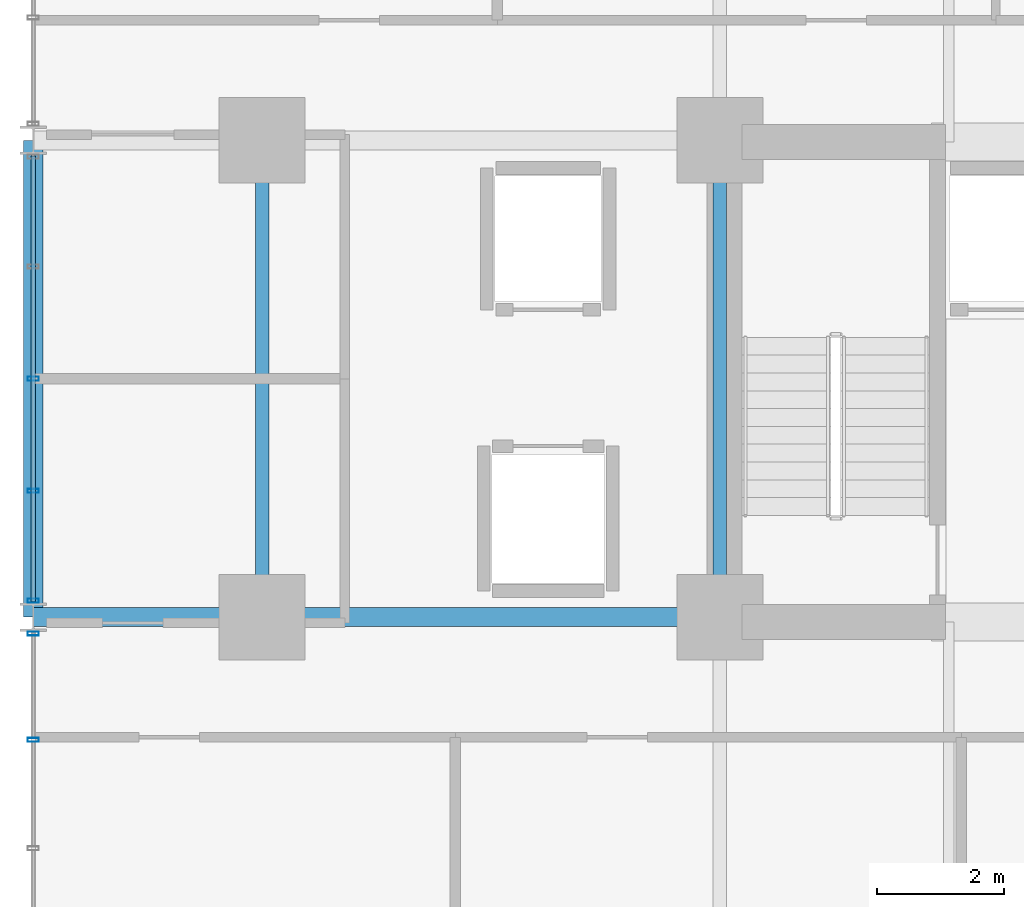
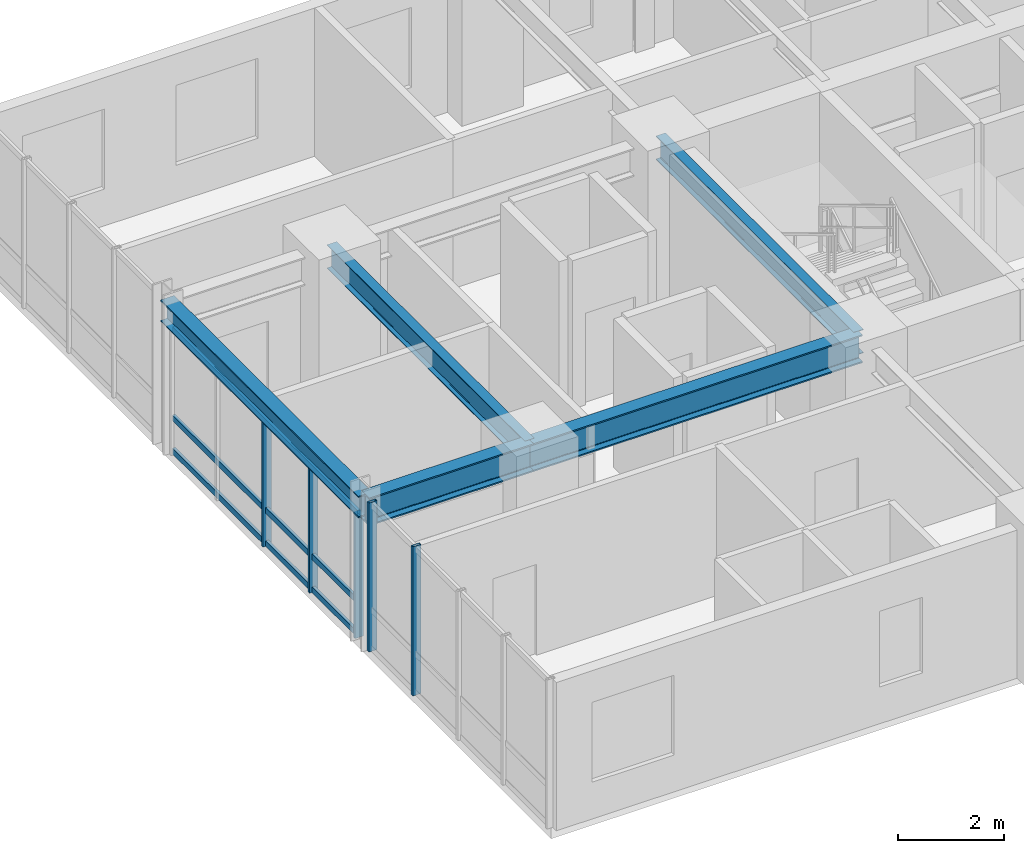
# One storey, part 4 of 19: 8 members, 5 beams, 2 elements without a shape of their own.
"""IFC4 building model written with IfcOpenShell, lengths in metres."""

from ifc_helpers import new_model, si_unit, direction, frame, origin, origin_2d, place, context, subcontext, project, spatial, hollow_rectangle, i_section, extrude, source, transform, mapped, material, layer, layer_set, material_profile, profile_set, type_object, element, aggregate, save


model = new_model("IFC4")

# Units and contexts
model_context = context("Model", 3, precision=1e-05, world=origin(), true_north=direction((0.0, 1.0)))
body_context = subcontext(model_context, "Body", "Model", "MODEL_VIEW")
ifc_project = project(units=[si_unit("LENGTHUNIT", "METRE"), si_unit("AREAUNIT", "SQUARE_METRE"), si_unit("VOLUMEUNIT", "CUBIC_METRE"), si_unit("PLANEANGLEUNIT", "RADIAN"), si_unit("MASSUNIT", "GRAM", prefix="KILO")], contexts=[model_context])

# Site, building, storey
site_placement = place(None, origin())
site = spatial("IfcSite", under=ifc_project, at=site_placement, CompositionType="ELEMENT")
building_placement = place(site_placement, origin())
building = spatial("IfcBuilding", under=site, at=building_placement, Name="Kaliganga Portal Commons", CompositionType="ELEMENT")
storey_placement = place(building_placement, frame((0.0, 0.0, 32.699951171875)))
storey = spatial("IfcBuildingStorey", under=building, at=storey_placement, Name="L07", CompositionType="ELEMENT", Elevation=32.699951171875)

# Beams
ifc_material_1 = material(Name="Structural steel S355J2", Category="steel")
ifc_material_profile_1 = material_profile(ifc_material_1, i_section(OverallWidth=0.300048828125, OverallDepth=0.5, WebThickness=0.014404296875, FlangeThickness=0.028076171875, FilletRadius=0.027099609375, at=origin_2d()), Name="HE 500 B")
ifc_profile_set_1 = profile_set([ifc_material_profile_1], Name="Structural steel S355J2 wide-flange")
beam_type_1 = type_object("IfcBeamType", Name="BM-SPAND-500", PredefinedType="SPANDREL", material=ifc_profile_set_1)
shared_shape_1 = source(origin(), body_context, "Body", "SweptSolid", [
    extrude(i_section(OverallWidth=0.300048828125, OverallDepth=0.5, WebThickness=0.014404296875, FlangeThickness=0.028076171875, FilletRadius=0.027099609375, at=origin_2d()), origin(), (0.0, 0.0, 1.0), 7.5),
])
beam_1_placement = place(storey_placement, frame((3.60009765625, 28.64990234375, 3.199951171875), z_axis=(0.0, 1.0, 0.0), x_axis=(-1.0, 0.0, 0.0)))
element("IfcBeam", 1, at=beam_1_placement, inside=storey, type_object=beam_type_1, Name="BM SP L07 AW", PredefinedType="SPANDREL", context=body_context, shape_type="MappedRepresentation", body=[
    mapped(shared_shape_1, transform((0.0, 0.0, 0.0), x_axis=(1.0, 0.0, 0.0), y_axis=(0.0, 1.0, 0.0), z_axis=(0.0, 0.0, 1.0), scale=1.0)),
])
ifc_material_profile_2 = material_profile(ifc_material_1, i_section(OverallWidth=0.300048828125, OverallDepth=0.64990234375, WebThickness=0.01611328125, FlangeThickness=0.031005859375, FilletRadius=0.027099609375, at=origin_2d()), Name="HE 650 B")
ifc_profile_set_2 = profile_set([ifc_material_profile_2], Name="Structural steel S355J2 wide-flange")
beam_type_2 = type_object("IfcBeamType", Name="BM-GIRD-650", PredefinedType="USERDEFINED", material=ifc_profile_set_2)
shared_shape_2 = source(origin(), body_context, "Body", "SweptSolid", [
    extrude(i_section(OverallWidth=0.300048828125, OverallDepth=0.64990234375, WebThickness=0.01611328125, FlangeThickness=0.031005859375, FilletRadius=0.027099609375, at=origin_2d()), origin(), (0.0, 0.0, 1.0), 3.599853515625),
])
beam_2_placement = place(storey_placement, frame((3.60009765625, 28.64990234375, 3.125), z_axis=(1.0, 0.0, 0.0), x_axis=(0.0, 1.0, 0.0)))
element("IfcBeam", 2, at=beam_2_placement, inside=storey, type_object=beam_type_2, Name="BM G L07 WAH_S 1", ObjectType="GIRDER", PredefinedType="USERDEFINED", context=body_context, shape_type="MappedRepresentation", body=[
    mapped(shared_shape_2, transform((0.0, 0.0, 0.0), x_axis=(1.0, 0.0, 0.0), y_axis=(0.0, 1.0, 0.0), z_axis=(0.0, 0.0, 1.0), scale=1.0)),
])
shared_shape_3 = source(origin(), body_context, "Body", "SweptSolid", [
    extrude(i_section(OverallWidth=0.300048828125, OverallDepth=0.64990234375, WebThickness=0.01611328125, FlangeThickness=0.031005859375, FilletRadius=0.027099609375, at=origin_2d()), origin(), (0.0, 0.0, 1.0), 7.199951171875),
])
beam_3_placement = place(storey_placement, frame((7.199951171875, 28.64990234375, 3.125), z_axis=(1.0, 0.0, 0.0), x_axis=(0.0, 1.0, 0.0)))
element("IfcBeam", 3, at=beam_3_placement, inside=storey, type_object=beam_type_2, Name="BM G L07 WAH_S 2", ObjectType="GIRDER", PredefinedType="USERDEFINED", context=body_context, shape_type="MappedRepresentation", body=[
    mapped(shared_shape_3, transform((0.0, 0.0, 0.0), x_axis=(1.0, 0.0, 0.0), y_axis=(0.0, 1.0, 0.0), z_axis=(0.0, 0.0, 1.0), scale=1.0)),
])
ifc_material_profile_3 = material_profile(ifc_material_1, i_section(OverallWidth=0.2099609375, OverallDepth=0.550048828125, WebThickness=0.010986328125, FlangeThickness=0.01708984375, FilletRadius=0.02392578125, at=origin_2d()), Name="IPE 550")
ifc_profile_set_3 = profile_set([ifc_material_profile_3], Name="Structural steel S355J2 wide-flange")
beam_type_3 = type_object("IfcBeamType", Name="BM-FLR-550", PredefinedType="BEAM", material=ifc_profile_set_3)
shared_shape_4 = source(origin(), body_context, "Body", "SweptSolid", [
    extrude(i_section(OverallWidth=0.2099609375, OverallDepth=0.550048828125, WebThickness=0.010986328125, FlangeThickness=0.01708984375, FilletRadius=0.02392578125, at=origin_2d()), origin(), (0.0, 0.0, 1.0), 7.5),
])
for number, where, z_axis, x_axis, name in (
    (4, (7.199951171875, 28.64990234375, 3.175048828125), (0.0, 1.0, 0.0), (-1.0, 0.0, 0.0), "BM G L07 AW72"),
    (5, (14.39990234375, 28.64990234375, 3.175048828125), (0.0, 1.0, 0.0), (-1.0, 0.0, 0.0), "BM G L07 AM144"),
):
    element("IfcBeam", number, at=place(storey_placement, frame(where, z_axis=z_axis, x_axis=x_axis)), inside=storey, type_object=beam_type_3, Name=name, PredefinedType="BEAM", context=body_context, shape_type="MappedRepresentation", body=[
        mapped(shared_shape_4, transform((0.0, 0.0, 0.0), x_axis=(1.0, 0.0, 0.0), y_axis=(0.0, 1.0, 0.0), z_axis=(0.0, 0.0, 1.0), scale=1.0)),
    ])

# Curtain wall, members
ifc_material_2 = material(Name="Anodized Aluminium and Laminated Low-E Glass", Category="aluminium")
ifc_layer = layer(ifc_material_2, 0.199951171875)
ifc_layer_set = layer_set([ifc_layer], Name="Anodized Aluminium and Laminated Low-E Glass")
curtain_wall_type = type_object("IfcCurtainWallType", Name="CW-SYS-02", PredefinedType="NOTDEFINED", material=ifc_layer_set)
curtain_wall_1_placement = place(storey_placement, origin())
curtain_wall_1 = element("IfcCurtainWall", 6, at=curtain_wall_1_placement, inside=storey, type_object=curtain_wall_type, Name="CW 02 L07 P1E03S3", PredefinedType="NOTDEFINED")
ifc_material_3 = material(Name="Dark Bronze Anodized Aluminium", Category="aluminium")
ifc_material_profile_4 = material_profile(ifc_material_3, hollow_rectangle(XDim=0.06494140625, YDim=0.179931640625, WallThickness=0.00390625, at=origin_2d()), Name="ALU MULL 65x180x4")
ifc_profile_set_4 = profile_set([ifc_material_profile_4], Name="Dark Bronze Anodized Aluminium")
member_type_1 = type_object("IfcMemberType", Name="CW-MUL-180", PredefinedType="MULLION", material=ifc_profile_set_4)
shared_shape_5 = source(origin(), body_context, "Body", "SweptSolid", [
    extrude(hollow_rectangle(XDim=0.06494140625, YDim=0.179931640625, WallThickness=0.00390625, at=origin_2d()), origin(), (0.0, 0.0, 1.0), 3.449951171875),
])
member_1_placement = place(storey_placement, frame((3.60009765625, 28.39111328125, 0.0), z_axis=(0.0, 0.0, 1.0), x_axis=(0.0, -1.0, 0.0)))
member_1 = element("IfcMember", 7, at=member_1_placement, type_object=member_type_1, Name="CW:02:L07:P1E03S3 Mullion 00", PredefinedType="MULLION", context=body_context, shape_type="MappedRepresentation", body=[
    mapped(shared_shape_5, transform((0.0, 0.0, 0.0), x_axis=(1.0, 0.0, 0.0), y_axis=(0.0, 1.0, 0.0), z_axis=(0.0, 0.0, 1.0), scale=1.0)),
])
member_2_placement = place(storey_placement, frame((3.60009765625, 26.719482421875, 0.0), z_axis=(0.0, 0.0, 1.0), x_axis=(0.0, -1.0, 0.0)))
member_2 = element("IfcMember", 8, at=member_2_placement, type_object=member_type_1, Name="CW:02:L07:P1E03S3 Mullion 01", PredefinedType="MULLION", context=body_context, shape_type="MappedRepresentation", body=[
    mapped(shared_shape_5, transform((0.0, 0.0, 0.0), x_axis=(1.0, 0.0, 0.0), y_axis=(0.0, 1.0, 0.0), z_axis=(0.0, 0.0, 1.0), scale=1.0)),
])
aggregate(curtain_wall_1, [member_1, member_2])

curtain_wall_2_placement = place(storey_placement, origin())
curtain_wall_2 = element("IfcCurtainWall", 9, at=curtain_wall_2_placement, inside=storey, type_object=curtain_wall_type, Name="CW 02 L07 P1E03S2", PredefinedType="NOTDEFINED")
shared_shape_6 = source(origin(), body_context, "Body", "SweptSolid", [
    extrude(hollow_rectangle(XDim=0.06494140625, YDim=0.179931640625, WallThickness=0.00390625, at=origin_2d()), origin(), (0.0, 0.0, 1.0), 2.949951171875),
])
member_3_placement = place(storey_placement, frame((3.60009765625, 32.39990234375, 0.0), z_axis=(0.0, 0.0, 1.0), x_axis=(0.0, -1.0, 0.0)))
member_3 = element("IfcMember", 10, at=member_3_placement, type_object=member_type_1, Name="CW:02:L07:P1E03S2 Mullion 02", PredefinedType="MULLION", context=body_context, shape_type="MappedRepresentation", body=[
    mapped(shared_shape_6, transform((0.0, 0.0, 0.0), x_axis=(1.0, 0.0, 0.0), y_axis=(0.0, 1.0, 0.0), z_axis=(0.0, 0.0, 1.0), scale=1.0)),
])
member_4_placement = place(storey_placement, frame((3.60009765625, 30.636962890625, 0.0), z_axis=(0.0, 0.0, 1.0), x_axis=(0.0, -1.0, 0.0)))
member_4 = element("IfcMember", 11, at=member_4_placement, type_object=member_type_1, Name="CW:02:L07:P1E03S2 Mullion 03", PredefinedType="MULLION", context=body_context, shape_type="MappedRepresentation", body=[
    mapped(shared_shape_6, transform((0.0, 0.0, 0.0), x_axis=(1.0, 0.0, 0.0), y_axis=(0.0, 1.0, 0.0), z_axis=(0.0, 0.0, 1.0), scale=1.0)),
])
member_5_placement = place(storey_placement, frame((3.60009765625, 28.908935546875, 0.0), z_axis=(0.0, 0.0, 1.0), x_axis=(0.0, -1.0, 0.0)))
member_5 = element("IfcMember", 12, at=member_5_placement, type_object=member_type_1, Name="CW:02:L07:P1E03S2 Mullion 04", PredefinedType="MULLION", context=body_context, shape_type="MappedRepresentation", body=[
    mapped(shared_shape_6, transform((0.0, 0.0, 0.0), x_axis=(1.0, 0.0, 0.0), y_axis=(0.0, 1.0, 0.0), z_axis=(0.0, 0.0, 1.0), scale=1.0)),
])
ifc_material_profile_5 = material_profile(ifc_material_3, hollow_rectangle(XDim=0.06494140625, YDim=0.135009765625, WallThickness=0.00341796875, at=origin_2d()), Name="ALU TRAN 65x135x3.5")
ifc_profile_set_5 = profile_set([ifc_material_profile_5], Name="Dark Bronze Anodized Aluminium")
member_type_2 = type_object("IfcMemberType", Name="CW-TRN-135", PredefinedType="USERDEFINED", material=ifc_profile_set_5)
shared_shape_7 = source(origin(), body_context, "Body", "SweptSolid", [
    extrude(hollow_rectangle(XDim=0.06494140625, YDim=0.135009765625, WallThickness=0.00341796875, at=origin_2d()), origin(), (0.0, 0.0, 1.0), 7.011962890625),
])
member_6_placement = place(storey_placement, frame((3.60009765625, 35.906005859375, 0.06005859375), z_axis=(0.0, -1.0, 0.0), x_axis=(1.0, 0.0, 0.0)))
member_6 = element("IfcMember", 13, at=member_6_placement, type_object=member_type_2, Name="CW:02:L07:P1E03S2 Transom 1", ObjectType="TRANSOM", PredefinedType="USERDEFINED", context=body_context, shape_type="MappedRepresentation", body=[
    mapped(shared_shape_7, transform((0.0, 0.0, 0.0), x_axis=(1.0, 0.0, 0.0), y_axis=(0.0, 1.0, 0.0), z_axis=(0.0, 0.0, 1.0), scale=1.0)),
])
member_7_placement = place(storey_placement, frame((3.60009765625, 35.906005859375, 0.825927734375), z_axis=(0.0, -1.0, 0.0), x_axis=(1.0, 0.0, 0.0)))
member_7 = element("IfcMember", 14, at=member_7_placement, type_object=member_type_2, Name="CW:02:L07:P1E03S2 Transom 2", ObjectType="TRANSOM", PredefinedType="USERDEFINED", context=body_context, shape_type="MappedRepresentation", body=[
    mapped(shared_shape_7, transform((0.0, 0.0, 0.0), x_axis=(1.0, 0.0, 0.0), y_axis=(0.0, 1.0, 0.0), z_axis=(0.0, 0.0, 1.0), scale=1.0)),
])
member_8_placement = place(storey_placement, frame((3.60009765625, 35.906005859375, 2.8701171875), z_axis=(0.0, -1.0, 0.0), x_axis=(1.0, 0.0, 0.0)))
member_8 = element("IfcMember", 15, at=member_8_placement, type_object=member_type_2, Name="CW:02:L07:P1E03S2 Transom 3", ObjectType="TRANSOM", PredefinedType="USERDEFINED", context=body_context, shape_type="MappedRepresentation", body=[
    mapped(shared_shape_7, transform((0.0, 0.0, 0.0), x_axis=(1.0, 0.0, 0.0), y_axis=(0.0, 1.0, 0.0), z_axis=(0.0, 0.0, 1.0), scale=1.0)),
])
aggregate(curtain_wall_2, [member_3, member_4, member_5, member_6, member_7, member_8])

save(model, "model.ifc")
